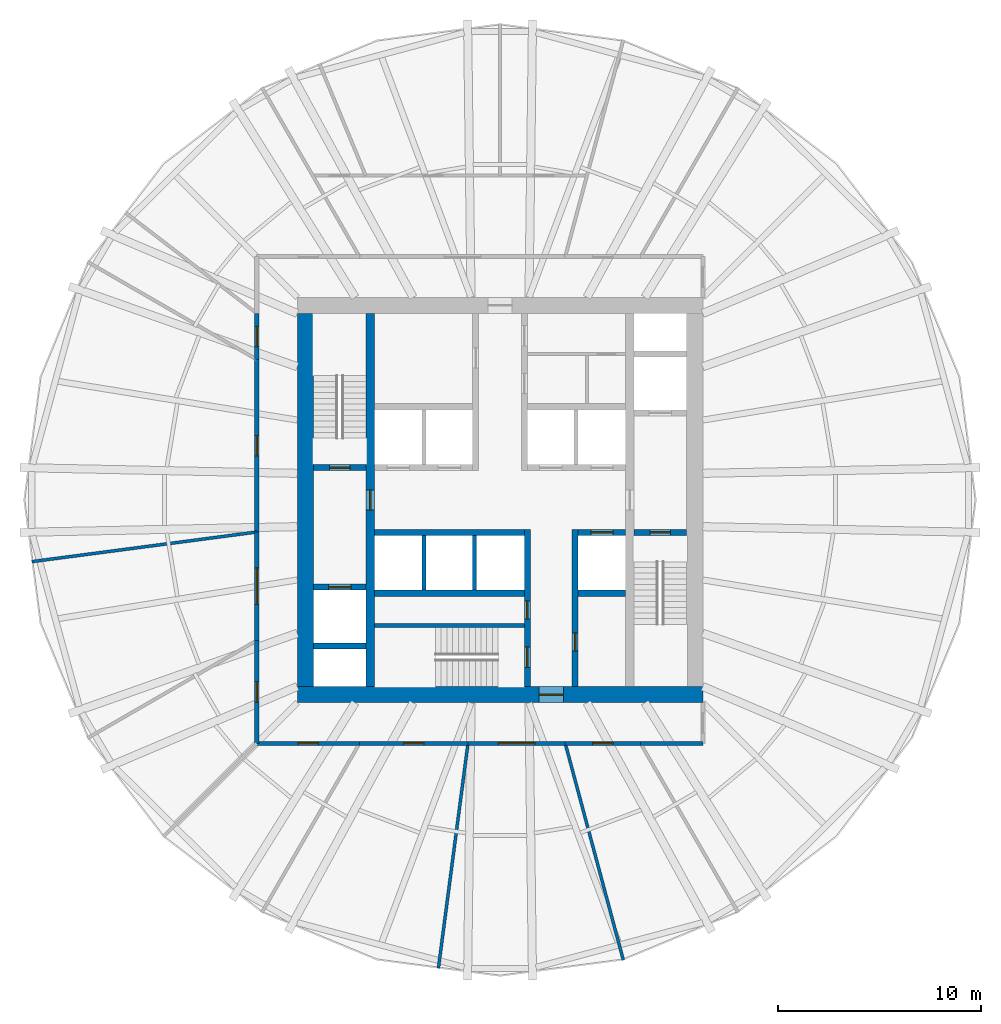
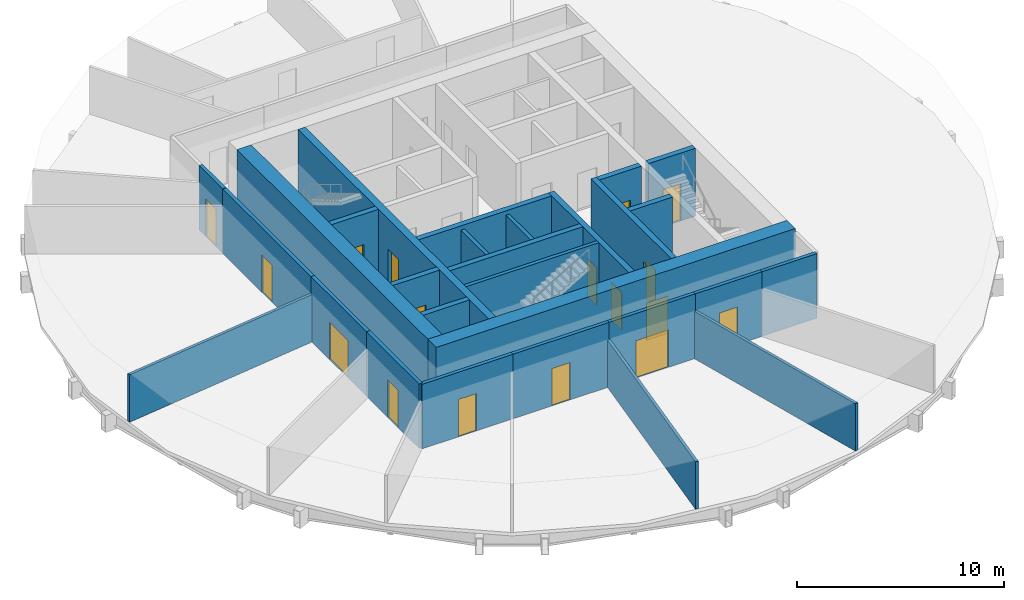
# One storey, part 3 of 6: 28 walls, 17 doors, 17 openings.
"""IFC4 building model written with IfcOpenShell, lengths in metres."""

from ifc_helpers import new_model, si_unit, direction, frame, frame_2d, origin, place, context, subcontext, project, spatial, rectangle, extrude, material, layer, layer_set, type_object, element, fill, save


model = new_model("IFC4")

# Units and contexts
model_context = context("Model", 3, precision=1e-05, world=origin(), true_north=direction((0.0, 1.0)))
body_context = subcontext(model_context, "Body", "Model", "MODEL_VIEW")
ifc_project = project(units=[si_unit("LENGTHUNIT", "METRE"), si_unit("AREAUNIT", "SQUARE_METRE"), si_unit("VOLUMEUNIT", "CUBIC_METRE"), si_unit("PLANEANGLEUNIT", "RADIAN"), si_unit("MASSUNIT", "GRAM", prefix="KILO")], contexts=[model_context])

# Site, building, storey
site_placement = place(None, origin())
site = spatial("IfcSite", under=ifc_project, at=site_placement, CompositionType="ELEMENT")
building_placement = place(site_placement, origin())
building = spatial("IfcBuilding", under=site, at=building_placement, Name="Golbaran Civic Tower", CompositionType="ELEMENT")
storey_placement = place(building_placement, frame((0.0, 0.0, 57.0)))
storey = spatial("IfcBuildingStorey", under=building, at=storey_placement, Name="L13", CompositionType="ELEMENT", Elevation=57.0)

# Wall, opening, door
ifc_material_1 = material(Name="Concrete C50/60", Category="concrete")
ifc_layer_1 = layer(ifc_material_1, 0.39990234375, Name="Concrete C50/60")
ifc_layer_set_1 = layer_set([ifc_layer_1], Name="Concrete C50/60")
wall_type_1 = type_object("IfcWallType", Name="CORE WALL CONCRETE 400", PredefinedType="SOLIDWALL", material=ifc_layer_set_1)
wall_1_placement = place(storey_placement, frame((-6.39990234375, -9.199951171875, 0.0), z_axis=(0.0, 0.0, 1.0), x_axis=(0.0, 1.0, 0.0)))
wall_1 = element("IfcWall", 1, at=wall_1_placement, inside=storey, type_object=wall_type_1, Name="Core wall IW L13", PredefinedType="SOLIDWALL", context=body_context, shape_type="SweptSolid", body=[
    extrude(rectangle(XDim=18.39990234375, YDim=0.39990234375, at=frame_2d((9.199951171875, 0.0))), origin(), (0.0, 0.0, 1.0), 4.0),
])
opening_1_placement = place(wall_1_placement, frame((8.699951171875, 0.0, 0.0)))
opening_1 = element("IfcOpeningElement", 2, at=opening_1_placement, cuts=wall_1, Name="Opening L13.FL1", PredefinedType="OPENING", context=body_context, shape_type="SweptSolid", body=[
    extrude(rectangle(XDim=1.0, YDim=2.199951171875, at=frame_2d((0.5, 1.10009765625))), frame((0.0, 0.2099609375, 0.0), z_axis=(0.0, -1.0, 0.0), x_axis=(1.0, 0.0, 0.0)), (0.0, 0.0, 1.0), 0.419921875),
])
ifc_material_2 = material(Name="Timber door set in steel frame", Category="steel")
door_type_1 = type_object("IfcDoorType", Name="STAIR DOOR 1000x2200", OperationType="SINGLE_SWING_LEFT", PredefinedType="DOOR", material=ifc_material_2)
door_1_placement = place(opening_1_placement, origin())
door_1 = element("IfcDoor", 3, at=door_1_placement, inside=storey, type_object=door_type_1, Name="Fire-fighting lobby FL1 door", OperationType="SINGLE_SWING_LEFT", OverallHeight=2.199951171875, OverallWidth=1.0, PredefinedType="DOOR", context=body_context, shape_type="SweptSolid", body=[
    extrude(rectangle(XDim=1.0, YDim=2.199951171875, at=frame_2d((0.5, 1.10009765625))), frame((0.0, 0.02490234375, 0.0), z_axis=(0.0, -1.0, 0.0), x_axis=(1.0, 0.0, 0.0)), (0.0, 0.0, 1.0), 0.050048828125),
])
fill(opening_1, door_1)

ifc_layer_2 = layer(ifc_material_1, 0.800048828125, Name="Concrete C50/60")
ifc_layer_set_2 = layer_set([ifc_layer_2], Name="Concrete C50/60")
wall_type_2 = type_object("IfcWallType", Name="CORE WALL CONCRETE 800", PredefinedType="SOLIDWALL", material=ifc_layer_set_2)
wall_2_placement = place(storey_placement, frame((10.0, -9.60009765625, 0.0), z_axis=(0.0, 0.0, 1.0), x_axis=(-1.0, 0.0, 0.0)))
wall_2 = element("IfcWall", 4, at=wall_2_placement, inside=storey, type_object=wall_type_2, Name="Core wall CS L13", PredefinedType="SOLIDWALL", context=body_context, shape_type="SweptSolid", body=[
    extrude(rectangle(XDim=20.0, YDim=0.800048828125, at=frame_2d((10.0, 0.0))), origin(), (0.0, 0.0, 1.0), 4.0),
])
opening_2_placement = place(wall_2_placement, frame((6.875, 0.0, 0.0)))
opening_2 = element("IfcOpeningElement", 5, at=opening_2_placement, cuts=wall_2, Name="Opening L13.CS", PredefinedType="OPENING", context=body_context, shape_type="SweptSolid", body=[
    extrude(rectangle(XDim=1.199951171875, YDim=2.199951171875, at=frame_2d((0.60009765625, 1.10009765625))), frame((0.0, 0.409912109375, 0.0), z_axis=(0.0, -1.0, 0.0), x_axis=(1.0, 0.0, 0.0)), (0.0, 0.0, 1.0), 0.820068359375),
])
door_type_2 = type_object("IfcDoorType", Name="CORE DOOR 1200x2200", OperationType="DOUBLE_DOOR_SINGLE_SWING", PredefinedType="DOOR", material=ifc_material_2)
door_2_placement = place(opening_2_placement, origin())
door_2 = element("IfcDoor", 6, at=door_2_placement, inside=storey, type_object=door_type_2, Name="Core door south", OperationType="DOUBLE_DOOR_SINGLE_SWING", OverallHeight=2.199951171875, OverallWidth=1.199951171875, PredefinedType="DOOR", context=body_context, shape_type="SweptSolid", body=[
    extrude(rectangle(XDim=1.199951171875, YDim=2.199951171875, at=frame_2d((0.60009765625, 1.10009765625))), frame((0.0, 0.02490234375, 0.0), z_axis=(0.0, -1.0, 0.0), x_axis=(1.0, 0.0, 0.0)), (0.0, 0.0, 1.0), 0.050048828125),
])
fill(opening_2, door_2)

# Wall
wall_3_placement = place(storey_placement, frame((-9.60009765625, 9.199951171875, 0.0), z_axis=(0.0, 0.0, 1.0), x_axis=(0.0, -1.0, 0.0)))
element("IfcWall", 7, at=wall_3_placement, inside=storey, type_object=wall_type_2, Name="Core wall CW L13", PredefinedType="SOLIDWALL", context=body_context, shape_type="SweptSolid", body=[
    extrude(rectangle(XDim=18.39990234375, YDim=0.800048828125, at=frame_2d((9.199951171875, 0.0))), origin(), (0.0, 0.0, 1.0), 4.0),
])

# Wall, opening, door
ifc_material_3 = material(Name="Gypsum board on steel studs, fire-rated", Category="steel")
ifc_layer_3 = layer(ifc_material_3, 0.199951171875, Name="Gypsum board on steel studs, fire-rated")
ifc_layer_set_3 = layer_set([ifc_layer_3], Name="Gypsum board on steel studs, fire-rated")
wall_type_3 = type_object("IfcWallType", Name="CORRIDOR WALL 200", PredefinedType="PARTITIONING", material=ifc_layer_set_3)
wall_4_placement = place(storey_placement, frame((-12.0, 9.2080078125, 0.0), z_axis=(0.0, 0.0, 1.0), x_axis=(0.0, -1.0, 0.0)))
wall_4 = element("IfcWall", 8, at=wall_4_placement, inside=storey, type_object=wall_type_3, Name="Corridor wall L13", PredefinedType="PARTITIONING", context=body_context, shape_type="SweptSolid", body=[
    extrude(rectangle(XDim=2.27978515625, YDim=0.199951171875, at=frame_2d((1.139892578125, 0.0))), origin(), (0.0, 0.0, 1.0), 3.800048828125),
])
opening_3_placement = place(wall_4_placement, frame((0.639892578125, 0.0, 0.0)))
opening_3 = element("IfcOpeningElement", 9, at=opening_3_placement, cuts=wall_4, Name="Opening L13.07", PredefinedType="OPENING", context=body_context, shape_type="SweptSolid", body=[
    extrude(rectangle(XDim=1.0, YDim=2.199951171875, at=frame_2d((0.5, 1.10009765625))), frame((0.0, 0.10986328125, 0.0), z_axis=(0.0, -1.0, 0.0), x_axis=(1.0, 0.0, 0.0)), (0.0, 0.0, 1.0), 0.219970703125),
])
door_type_3 = type_object("IfcDoorType", Name="OFFICE DOOR 1000x2200", OperationType="SINGLE_SWING_LEFT", PredefinedType="DOOR", material=ifc_material_2)
door_3_placement = place(opening_3_placement, origin())
door_3 = element("IfcDoor", 10, at=door_3_placement, inside=storey, type_object=door_type_3, Name="Print and Copy Room door L13", OperationType="SINGLE_SWING_RIGHT", OverallHeight=2.199951171875, OverallWidth=1.0, PredefinedType="DOOR", context=body_context, shape_type="SweptSolid", body=[
    extrude(rectangle(XDim=1.0, YDim=2.199951171875, at=frame_2d((0.5, 1.10009765625))), frame((0.0, 0.02490234375, 0.0), z_axis=(0.0, -1.0, 0.0), x_axis=(1.0, 0.0, 0.0)), (0.0, 0.0, 1.0), 0.050048828125),
])
fill(opening_3, door_3)

wall_5_placement = place(storey_placement, frame((-12.0, 6.92822265625, 0.0), z_axis=(0.0, 0.0, 1.0), x_axis=(0.0, -1.0, 0.0)))
wall_5 = element("IfcWall", 11, at=wall_5_placement, inside=storey, type_object=wall_type_3, Name="Corridor wall L13", PredefinedType="PARTITIONING", context=body_context, shape_type="SweptSolid", body=[
    extrude(rectangle(XDim=8.508056640625, YDim=0.199951171875, at=frame_2d((4.25390625, 0.0))), origin(), (0.0, 0.0, 1.0), 3.800048828125),
])
opening_4_placement = place(wall_5_placement, frame((3.75390625, 0.0, 0.0)))
opening_4 = element("IfcOpeningElement", 12, at=opening_4_placement, cuts=wall_5, Name="Opening L13.08", PredefinedType="OPENING", context=body_context, shape_type="SweptSolid", body=[
    extrude(rectangle(XDim=1.0, YDim=2.199951171875, at=frame_2d((0.5, 1.10009765625))), frame((0.0, 0.10986328125, 0.0), z_axis=(0.0, -1.0, 0.0), x_axis=(1.0, 0.0, 0.0)), (0.0, 0.0, 1.0), 0.219970703125),
])
door_4_placement = place(opening_4_placement, origin())
door_4 = element("IfcDoor", 13, at=door_4_placement, inside=storey, type_object=door_type_3, Name="Project Room door L13", OperationType="SINGLE_SWING_RIGHT", OverallHeight=2.199951171875, OverallWidth=1.0, PredefinedType="DOOR", context=body_context, shape_type="SweptSolid", body=[
    extrude(rectangle(XDim=1.0, YDim=2.199951171875, at=frame_2d((0.5, 1.10009765625))), frame((0.0, 0.02490234375, 0.0), z_axis=(0.0, -1.0, 0.0), x_axis=(1.0, 0.0, 0.0)), (0.0, 0.0, 1.0), 0.050048828125),
])
fill(opening_4, door_4)

wall_6_placement = place(storey_placement, frame((-12.0, -1.579833984375, 0.0), z_axis=(0.0, 0.0, 1.0), x_axis=(0.0, -1.0, 0.0)))
wall_6 = element("IfcWall", 14, at=wall_6_placement, inside=storey, type_object=wall_type_3, Name="Corridor wall L13", PredefinedType="PARTITIONING", context=body_context, shape_type="SweptSolid", body=[
    extrude(rectangle(XDim=5.348388671875, YDim=0.199951171875, at=frame_2d((2.67431640625, 0.0))), origin(), (0.0, 0.0, 1.0), 3.800048828125),
])
opening_5_placement = place(wall_6_placement, frame((1.774169921875, 0.0, 0.0)))
opening_5 = element("IfcOpeningElement", 15, at=opening_5_placement, cuts=wall_6, Name="Opening L13.09", PredefinedType="OPENING", context=body_context, shape_type="SweptSolid", body=[
    extrude(rectangle(XDim=1.800048828125, YDim=2.199951171875, at=frame_2d((0.89990234375, 1.10009765625))), frame((0.0, 0.10986328125, 0.0), z_axis=(0.0, -1.0, 0.0), x_axis=(1.0, 0.0, 0.0)), (0.0, 0.0, 1.0), 0.219970703125),
])
door_type_4 = type_object("IfcDoorType", Name="OFFICE DOUBLE DOOR 1800x2200", OperationType="DOUBLE_DOOR_SINGLE_SWING", PredefinedType="DOOR", material=ifc_material_2)
door_5_placement = place(opening_5_placement, origin())
door_5 = element("IfcDoor", 16, at=door_5_placement, inside=storey, type_object=door_type_4, Name="Open Office door L13", OperationType="DOUBLE_DOOR_SINGLE_SWING", OverallHeight=2.199951171875, OverallWidth=1.800048828125, PredefinedType="DOOR", context=body_context, shape_type="SweptSolid", body=[
    extrude(rectangle(XDim=1.800048828125, YDim=2.199951171875, at=frame_2d((0.89990234375, 1.10009765625))), frame((0.0, 0.02490234375, 0.0), z_axis=(0.0, -1.0, 0.0), x_axis=(1.0, 0.0, 0.0)), (0.0, 0.0, 1.0), 0.050048828125),
])
fill(opening_5, door_5)

wall_7_placement = place(storey_placement, frame((-12.0, -6.92822265625, 0.0), z_axis=(0.0, 0.0, 1.0), x_axis=(0.0, -1.0, 0.0)))
wall_7 = element("IfcWall", 17, at=wall_7_placement, inside=storey, type_object=wall_type_3, Name="Corridor wall L13", PredefinedType="PARTITIONING", context=body_context, shape_type="SweptSolid", body=[
    extrude(rectangle(XDim=5.07177734375, YDim=0.199951171875, at=frame_2d((2.535888671875, 0.0))), origin(), (0.0, 0.0, 1.0), 3.800048828125),
])
opening_6_placement = place(wall_7_placement, frame((2.035888671875, 0.0, 0.0)))
opening_6 = element("IfcOpeningElement", 18, at=opening_6_placement, cuts=wall_7, Name="Opening L13.10", PredefinedType="OPENING", context=body_context, shape_type="SweptSolid", body=[
    extrude(rectangle(XDim=1.0, YDim=2.199951171875, at=frame_2d((0.5, 1.10009765625))), frame((0.0, 0.10986328125, 0.0), z_axis=(0.0, -1.0, 0.0), x_axis=(1.0, 0.0, 0.0)), (0.0, 0.0, 1.0), 0.219970703125),
])
door_6_placement = place(opening_6_placement, origin())
door_6 = element("IfcDoor", 19, at=door_6_placement, inside=storey, type_object=door_type_3, Name="Print and Copy Room door L13", OperationType="SINGLE_SWING_RIGHT", OverallHeight=2.199951171875, OverallWidth=1.0, PredefinedType="DOOR", context=body_context, shape_type="SweptSolid", body=[
    extrude(rectangle(XDim=1.0, YDim=2.199951171875, at=frame_2d((0.5, 1.10009765625))), frame((0.0, 0.02490234375, 0.0), z_axis=(0.0, -1.0, 0.0), x_axis=(1.0, 0.0, 0.0)), (0.0, 0.0, 1.0), 0.050048828125),
])
fill(opening_6, door_6)

wall_8_placement = place(storey_placement, frame((-12.0, -12.0, 0.0), z_axis=(0.0, 0.0, 1.0), x_axis=(1.0, 0.0, 0.0)))
wall_8 = element("IfcWall", 20, at=wall_8_placement, inside=storey, type_object=wall_type_3, Name="Corridor wall L13", PredefinedType="PARTITIONING", context=body_context, shape_type="SweptSolid", body=[
    extrude(rectangle(XDim=5.07177734375, YDim=0.199951171875, at=frame_2d((2.535888671875, 0.0))), origin(), (0.0, 0.0, 1.0), 3.800048828125),
])
opening_7_placement = place(wall_8_placement, frame((2.035888671875, 0.0, 0.0)))
opening_7 = element("IfcOpeningElement", 21, at=opening_7_placement, cuts=wall_8, Name="Opening L13.11", PredefinedType="OPENING", context=body_context, shape_type="SweptSolid", body=[
    extrude(rectangle(XDim=1.0, YDim=2.199951171875, at=frame_2d((0.5, 1.10009765625))), frame((0.0, 0.10986328125, 0.0), z_axis=(0.0, -1.0, 0.0), x_axis=(1.0, 0.0, 0.0)), (0.0, 0.0, 1.0), 0.219970703125),
])
door_7_placement = place(opening_7_placement, origin())
door_7 = element("IfcDoor", 22, at=door_7_placement, inside=storey, type_object=door_type_3, Name="Store door L13", OperationType="SINGLE_SWING_LEFT", OverallHeight=2.199951171875, OverallWidth=1.0, PredefinedType="DOOR", context=body_context, shape_type="SweptSolid", body=[
    extrude(rectangle(XDim=1.0, YDim=2.199951171875, at=frame_2d((0.5, 1.10009765625))), frame((0.0, 0.02490234375, 0.0), z_axis=(0.0, -1.0, 0.0), x_axis=(1.0, 0.0, 0.0)), (0.0, 0.0, 1.0), 0.050048828125),
])
fill(opening_7, door_7)

wall_9_placement = place(storey_placement, frame((-6.92822265625, -12.0, 0.0), z_axis=(0.0, 0.0, 1.0), x_axis=(1.0, 0.0, 0.0)))
wall_9 = element("IfcWall", 23, at=wall_9_placement, inside=storey, type_object=wall_type_3, Name="Corridor wall L13", PredefinedType="PARTITIONING", context=body_context, shape_type="SweptSolid", body=[
    extrude(rectangle(XDim=5.348388671875, YDim=0.199951171875, at=frame_2d((2.67431640625, 0.0))), origin(), (0.0, 0.0, 1.0), 3.800048828125),
])
opening_8_placement = place(wall_9_placement, frame((2.174072265625, 0.0, 0.0)))
opening_8 = element("IfcOpeningElement", 24, at=opening_8_placement, cuts=wall_9, Name="Opening L13.12", PredefinedType="OPENING", context=body_context, shape_type="SweptSolid", body=[
    extrude(rectangle(XDim=1.0, YDim=2.199951171875, at=frame_2d((0.5, 1.10009765625))), frame((0.0, 0.10986328125, 0.0), z_axis=(0.0, -1.0, 0.0), x_axis=(1.0, 0.0, 0.0)), (0.0, 0.0, 1.0), 0.219970703125),
])
door_8_placement = place(opening_8_placement, origin())
door_8 = element("IfcDoor", 25, at=door_8_placement, inside=storey, type_object=door_type_3, Name="Interview Room door L13", OperationType="SINGLE_SWING_LEFT", OverallHeight=2.199951171875, OverallWidth=1.0, PredefinedType="DOOR", context=body_context, shape_type="SweptSolid", body=[
    extrude(rectangle(XDim=1.0, YDim=2.199951171875, at=frame_2d((0.5, 1.10009765625))), frame((0.0, 0.02490234375, 0.0), z_axis=(0.0, -1.0, 0.0), x_axis=(1.0, 0.0, 0.0)), (0.0, 0.0, 1.0), 0.050048828125),
])
fill(opening_8, door_8)

wall_10_placement = place(storey_placement, frame((-1.579833984375, -12.0, 0.0), z_axis=(0.0, 0.0, 1.0), x_axis=(1.0, 0.0, 0.0)))
wall_10 = element("IfcWall", 26, at=wall_10_placement, inside=storey, type_object=wall_type_3, Name="Corridor wall L13", PredefinedType="PARTITIONING", context=body_context, shape_type="SweptSolid", body=[
    extrude(rectangle(XDim=4.795166015625, YDim=0.199951171875, at=frame_2d((2.3974609375, 0.0))), origin(), (0.0, 0.0, 1.0), 3.800048828125),
])
opening_9_placement = place(wall_10_placement, frame((1.49755859375, 0.0, 0.0)))
opening_9 = element("IfcOpeningElement", 27, at=opening_9_placement, cuts=wall_10, Name="Opening L13.13", PredefinedType="OPENING", context=body_context, shape_type="SweptSolid", body=[
    extrude(rectangle(XDim=1.800048828125, YDim=2.199951171875, at=frame_2d((0.89990234375, 1.10009765625))), frame((0.0, 0.10986328125, 0.0), z_axis=(0.0, -1.0, 0.0), x_axis=(1.0, 0.0, 0.0)), (0.0, 0.0, 1.0), 0.219970703125),
])
door_9_placement = place(opening_9_placement, origin())
door_9 = element("IfcDoor", 28, at=door_9_placement, inside=storey, type_object=door_type_4, Name="Open Office door L13", OperationType="DOUBLE_DOOR_SINGLE_SWING", OverallHeight=2.199951171875, OverallWidth=1.800048828125, PredefinedType="DOOR", context=body_context, shape_type="SweptSolid", body=[
    extrude(rectangle(XDim=1.800048828125, YDim=2.199951171875, at=frame_2d((0.89990234375, 1.10009765625))), frame((0.0, 0.02490234375, 0.0), z_axis=(0.0, -1.0, 0.0), x_axis=(1.0, 0.0, 0.0)), (0.0, 0.0, 1.0), 0.050048828125),
])
fill(opening_9, door_9)

wall_11_placement = place(storey_placement, frame((3.21533203125, -12.0, 0.0), z_axis=(0.0, 0.0, 1.0), x_axis=(1.0, 0.0, 0.0)))
wall_11 = element("IfcWall", 29, at=wall_11_placement, inside=storey, type_object=wall_type_3, Name="Corridor wall L13", PredefinedType="PARTITIONING", context=body_context, shape_type="SweptSolid", body=[
    extrude(rectangle(XDim=3.712890625, YDim=0.199951171875, at=frame_2d((1.8564453125, 0.0))), origin(), (0.0, 0.0, 1.0), 3.800048828125),
])
opening_10_placement = place(wall_11_placement, frame((1.3564453125, 0.0, 0.0)))
opening_10 = element("IfcOpeningElement", 30, at=opening_10_placement, cuts=wall_11, Name="Opening L13.14", PredefinedType="OPENING", context=body_context, shape_type="SweptSolid", body=[
    extrude(rectangle(XDim=1.0, YDim=2.199951171875, at=frame_2d((0.5, 1.10009765625))), frame((0.0, 0.10986328125, 0.0), z_axis=(0.0, -1.0, 0.0), x_axis=(1.0, 0.0, 0.0)), (0.0, 0.0, 1.0), 0.219970703125),
])
door_10_placement = place(opening_10_placement, origin())
door_10 = element("IfcDoor", 31, at=door_10_placement, inside=storey, type_object=door_type_3, Name="Meeting Room door L13", OperationType="SINGLE_SWING_LEFT", OverallHeight=2.199951171875, OverallWidth=1.0, PredefinedType="DOOR", context=body_context, shape_type="SweptSolid", body=[
    extrude(rectangle(XDim=1.0, YDim=2.199951171875, at=frame_2d((0.5, 1.10009765625))), frame((0.0, 0.02490234375, 0.0), z_axis=(0.0, -1.0, 0.0), x_axis=(1.0, 0.0, 0.0)), (0.0, 0.0, 1.0), 0.050048828125),
])
fill(opening_10, door_10)

# Walls
wall_12_placement = place(storey_placement, frame((6.92822265625, -12.0, 0.0), z_axis=(0.0, 0.0, 1.0), x_axis=(1.0, 0.0, 0.0)))
element("IfcWall", 32, at=wall_12_placement, inside=storey, type_object=wall_type_3, Name="Corridor wall L13", PredefinedType="PARTITIONING", context=body_context, shape_type="SweptSolid", body=[
    extrude(rectangle(XDim=3.07177734375, YDim=0.199951171875, at=frame_2d((1.535888671875, 0.0))), origin(), (0.0, 0.0, 1.0), 3.800048828125),
])
ifc_material_4 = material(Name="Concrete block", Category="concrete")
ifc_layer_4 = layer(ifc_material_4, 0.199951171875, Name="Concrete block")
ifc_layer_set_4 = layer_set([ifc_layer_4], Name="Concrete block")
wall_type_4 = type_object("IfcWallType", Name="LIFT SEPARATOR WALL 200", PredefinedType="SOLIDWALL", material=ifc_layer_set_4)
for number, where, z_axis, x_axis, name in (
    (33, (-3.75, -1.75, 0.0), (0.0, 0.0, 1.0), (0.0, -1.0, 0.0), "Core partition SSW L13"),
    (34, (-1.25, -1.75, 0.0), (0.0, 0.0, 1.0), (0.0, -1.0, 0.0), "Core partition SSM L13"),
):
    element("IfcWall", number, at=place(storey_placement, frame(where, z_axis=z_axis, x_axis=x_axis)), inside=storey, type_object=wall_type_4, Name=name, PredefinedType="SOLIDWALL", context=body_context, shape_type="SweptSolid", body=[
        extrude(rectangle(XDim=2.699951171875, YDim=0.199951171875, at=frame_2d((1.35009765625, 0.0))), origin(), (0.0, 0.0, 1.0), 3.75),
    ])
ifc_material_5 = material(Name="Gypsum board on steel studs", Category="steel")
ifc_layer_5 = layer(ifc_material_5, 0.14990234375, Name="Gypsum board on steel studs")
ifc_layer_set_5 = layer_set([ifc_layer_5], Name="Gypsum board on steel studs")
wall_type_5 = type_object("IfcWallType", Name="OFFICE PARTITION 150", PredefinedType="PARTITIONING", material=ifc_layer_set_5)
for number, where, z_axis, x_axis, name in (
    (35, (-12.0, -1.579833984375, 0.0), (0.0, 0.0, 1.0), (-0.991446050429, -0.130517160134, 0.0), "Partition 187.5 L13"),
    (36, (-1.579833984375, -12.0, 0.0), (0.0, 0.0, 1.0), (-0.130517160134, -0.991446050429, 0.0), "Partition 262.5 L13"),
):
    element("IfcWall", number, at=place(storey_placement, frame(where, z_axis=z_axis, x_axis=x_axis)), inside=storey, type_object=wall_type_5, Name=name, PredefinedType="PARTITIONING", context=body_context, shape_type="SweptSolid", body=[
        extrude(rectangle(XDim=11.189697265625, YDim=0.14990234375, at=frame_2d((5.5947265625, 0.0))), origin(), (0.0, 0.0, 1.0), 2.7900390625),
    ])
wall_13_placement = place(storey_placement, frame((3.21533203125, -12.0, 0.0), z_axis=(0.0, 0.0, 1.0), x_axis=(0.258830514209, -0.965922753078, 0.0)))
element("IfcWall", 37, at=wall_13_placement, inside=storey, type_object=wall_type_5, Name="Partition 285 L13", PredefinedType="PARTITIONING", context=body_context, shape_type="SweptSolid", body=[
    extrude(rectangle(XDim=11.07080078125, YDim=0.14990234375, at=frame_2d((5.535400390625, 0.0))), origin(), (0.0, 0.0, 1.0), 2.7900390625),
])
ifc_layer_6 = layer(ifc_material_1, 0.199951171875, Name="Concrete C50/60")
ifc_layer_set_6 = layer_set([ifc_layer_6], Name="Concrete C50/60")
wall_type_6 = type_object("IfcWallType", Name="SHAFT WALL CONCRETE 200", PredefinedType="SOLIDWALL", material=ifc_layer_set_6)
wall_14_placement = place(storey_placement, frame((-6.199951171875, -6.199951171875, 0.0), z_axis=(0.0, 0.0, 1.0), x_axis=(1.0, 0.0, 0.0)))
element("IfcWall", 38, at=wall_14_placement, inside=storey, type_object=wall_type_6, Name="Core wall S3N L13", PredefinedType="SOLIDWALL", context=body_context, shape_type="SweptSolid", body=[
    extrude(rectangle(XDim=7.39990234375, YDim=0.199951171875, at=frame_2d((3.699951171875, 0.0))), origin(), (0.0, 0.0, 1.0), 4.0),
])
ifc_layer_7 = layer(ifc_material_1, 0.300048828125, Name="Concrete C50/60")
ifc_layer_set_7 = layer_set([ifc_layer_7], Name="Concrete C50/60")
wall_type_7 = type_object("IfcWallType", Name="SHAFT WALL CONCRETE 300", PredefinedType="SOLIDWALL", material=ifc_layer_set_7)
wall_15_placement = place(storey_placement, frame((-6.199951171875, -1.60009765625, 0.0), z_axis=(0.0, 0.0, 1.0), x_axis=(1.0, 0.0, 0.0)))
element("IfcWall", 39, at=wall_15_placement, inside=storey, type_object=wall_type_7, Name="Core wall FSW L13", PredefinedType="SOLIDWALL", context=body_context, shape_type="SweptSolid", body=[
    extrude(rectangle(XDim=7.39990234375, YDim=0.300048828125, at=frame_2d((3.699951171875, 0.0))), origin(), (0.0, 0.0, 1.0), 4.0),
])

# Wall, opening, door
wall_16_placement = place(storey_placement, frame((3.85009765625, -1.60009765625, 0.0), z_axis=(0.0, 0.0, 1.0), x_axis=(1.0, 0.0, 0.0)))
wall_16 = element("IfcWall", 40, at=wall_16_placement, inside=storey, type_object=wall_type_7, Name="Core wall FSE L13", PredefinedType="SOLIDWALL", context=body_context, shape_type="SweptSolid", body=[
    extrude(rectangle(XDim=2.349853515625, YDim=0.300048828125, at=frame_2d((1.1748046875, 0.0))), origin(), (0.0, 0.0, 1.0), 4.0),
])
opening_11_placement = place(wall_16_placement, frame((0.625, 0.0, 0.0)))
opening_11 = element("IfcOpeningElement", 41, at=opening_11_placement, cuts=wall_16, Name="Opening L13.LD-V1", PredefinedType="OPENING", context=body_context, shape_type="SweptSolid", body=[
    extrude(rectangle(XDim=1.10009765625, YDim=2.199951171875, at=frame_2d((0.550048828125, 1.10009765625))), frame((0.0, 0.159912109375, 0.0), z_axis=(0.0, -1.0, 0.0), x_axis=(1.0, 0.0, 0.0)), (0.0, 0.0, 1.0), 0.320068359375),
])
ifc_material_6 = material(Name="Stainless steel", Category="steel")
door_type_5 = type_object("IfcDoorType", Name="LIFT LANDING DOOR 1100x2200", OperationType="SLIDING_TO_LEFT", PredefinedType="DOOR", material=ifc_material_6)
door_11_placement = place(opening_11_placement, origin())
door_11 = element("IfcDoor", 42, at=door_11_placement, inside=storey, type_object=door_type_5, Name="Lift landing door V1", OperationType="SLIDING_TO_LEFT", OverallHeight=2.199951171875, OverallWidth=1.10009765625, PredefinedType="DOOR", context=body_context, shape_type="SweptSolid", body=[
    extrude(rectangle(XDim=1.10009765625, YDim=2.199951171875, at=frame_2d((0.550048828125, 1.10009765625))), frame((0.0, 0.02490234375, 0.0), z_axis=(0.0, -1.0, 0.0), x_axis=(1.0, 0.0, 0.0)), (0.0, 0.0, 1.0), 0.050048828125),
])
fill(opening_11, door_11)

# Walls
wall_17_placement = place(storey_placement, frame((-6.199951171875, -4.60009765625, 0.0), z_axis=(0.0, 0.0, 1.0), x_axis=(1.0, 0.0, 0.0)))
element("IfcWall", 43, at=wall_17_placement, inside=storey, type_object=wall_type_7, Name="Core wall BSW L13", PredefinedType="SOLIDWALL", context=body_context, shape_type="SweptSolid", body=[
    extrude(rectangle(XDim=7.39990234375, YDim=0.300048828125, at=frame_2d((3.699951171875, 0.0))), origin(), (0.0, 0.0, 1.0), 4.0),
])
wall_18_placement = place(storey_placement, frame((3.85009765625, -4.60009765625, 0.0), z_axis=(0.0, 0.0, 1.0), x_axis=(1.0, 0.0, 0.0)))
element("IfcWall", 44, at=wall_18_placement, inside=storey, type_object=wall_type_7, Name="Core wall BSE L13", PredefinedType="SOLIDWALL", context=body_context, shape_type="SweptSolid", body=[
    extrude(rectangle(XDim=2.349853515625, YDim=0.300048828125, at=frame_2d((1.1748046875, 0.0))), origin(), (0.0, 0.0, 1.0), 4.0),
])

# Wall, openings, doors
wall_19_placement = place(storey_placement, frame((1.35009765625, -1.449951171875, 0.0), z_axis=(0.0, 0.0, 1.0), x_axis=(0.0, -1.0, 0.0)))
wall_19 = element("IfcWall", 45, at=wall_19_placement, inside=storey, type_object=wall_type_7, Name="Core wall PSW L13", PredefinedType="SOLIDWALL", context=body_context, shape_type="SweptSolid", body=[
    extrude(rectangle(XDim=7.75, YDim=0.300048828125, at=frame_2d((3.875, 0.0))), origin(), (0.0, 0.0, 1.0), 4.0),
])
opening_12_placement = place(wall_19_placement, frame((5.800048828125, 0.0, 0.0)))
opening_12 = element("IfcOpeningElement", 46, at=opening_12_placement, cuts=wall_19, Name="Opening L13.S3", PredefinedType="OPENING", context=body_context, shape_type="SweptSolid", body=[
    extrude(rectangle(XDim=1.0, YDim=2.199951171875, at=frame_2d((0.5, 1.10009765625))), frame((0.0, 0.159912109375, 0.0), z_axis=(0.0, -1.0, 0.0), x_axis=(1.0, 0.0, 0.0)), (0.0, 0.0, 1.0), 0.320068359375),
])
opening_13_placement = place(wall_19_placement, frame((3.52490234375, 0.0, 0.0)))
opening_13 = element("IfcOpeningElement", 47, at=opening_13_placement, cuts=wall_19, Name="Opening L13.RE", PredefinedType="OPENING", context=body_context, shape_type="SweptSolid", body=[
    extrude(rectangle(XDim=0.89990234375, YDim=2.199951171875, at=frame_2d((0.449951171875, 1.10009765625))), frame((0.0, 0.159912109375, 0.0), z_axis=(0.0, -1.0, 0.0), x_axis=(1.0, 0.0, 0.0)), (0.0, 0.0, 1.0), 0.320068359375),
])
door_type_6 = type_object("IfcDoorType", Name="RISER DOOR 900x2200", OperationType="SINGLE_SWING_LEFT", PredefinedType="DOOR", material=ifc_material_2)
door_12_placement = place(opening_13_placement, origin())
door_12 = element("IfcDoor", 48, at=door_12_placement, inside=storey, type_object=door_type_6, Name="Electrical riser door", OperationType="SINGLE_SWING_RIGHT", OverallHeight=2.199951171875, OverallWidth=0.89990234375, PredefinedType="DOOR", context=body_context, shape_type="SweptSolid", body=[
    extrude(rectangle(XDim=0.89990234375, YDim=2.199951171875, at=frame_2d((0.449951171875, 1.10009765625))), frame((0.0, 0.02490234375, 0.0), z_axis=(0.0, -1.0, 0.0), x_axis=(1.0, 0.0, 0.0)), (0.0, 0.0, 1.0), 0.050048828125),
])
fill(opening_13, door_12)
door_13_placement = place(opening_12_placement, origin())
door_13 = element("IfcDoor", 49, at=door_13_placement, inside=storey, type_object=door_type_1, Name="Stair S3 door", OperationType="SINGLE_SWING_RIGHT", OverallHeight=2.199951171875, OverallWidth=1.0, PredefinedType="DOOR", context=body_context, shape_type="SweptSolid", body=[
    extrude(rectangle(XDim=1.0, YDim=2.199951171875, at=frame_2d((0.5, 1.10009765625))), frame((0.0, 0.02490234375, 0.0), z_axis=(0.0, -1.0, 0.0), x_axis=(1.0, 0.0, 0.0)), (0.0, 0.0, 1.0), 0.050048828125),
])
fill(opening_12, door_13)

# Wall, opening, door
wall_20_placement = place(storey_placement, frame((3.699951171875, -1.449951171875, 0.0), z_axis=(0.0, 0.0, 1.0), x_axis=(0.0, -1.0, 0.0)))
wall_20 = element("IfcWall", 50, at=wall_20_placement, inside=storey, type_object=wall_type_7, Name="Core wall PSE L13", PredefinedType="SOLIDWALL", context=body_context, shape_type="SweptSolid", body=[
    extrude(rectangle(XDim=7.75, YDim=0.300048828125, at=frame_2d((3.875, 0.0))), origin(), (0.0, 0.0, 1.0), 4.0),
])
opening_14_placement = place(wall_20_placement, frame((5.10009765625, 0.0, 0.0)))
opening_14 = element("IfcOpeningElement", 51, at=opening_14_placement, cuts=wall_20, Name="Opening L13.RM", PredefinedType="OPENING", context=body_context, shape_type="SweptSolid", body=[
    extrude(rectangle(XDim=0.89990234375, YDim=2.199951171875, at=frame_2d((0.449951171875, 1.10009765625))), frame((0.0, 0.159912109375, 0.0), z_axis=(0.0, -1.0, 0.0), x_axis=(1.0, 0.0, 0.0)), (0.0, 0.0, 1.0), 0.320068359375),
])
door_14_placement = place(opening_14_placement, origin())
door_14 = element("IfcDoor", 52, at=door_14_placement, inside=storey, type_object=door_type_6, Name="Mechanical riser door", OperationType="SINGLE_SWING_RIGHT", OverallHeight=2.199951171875, OverallWidth=0.89990234375, PredefinedType="DOOR", context=body_context, shape_type="SweptSolid", body=[
    extrude(rectangle(XDim=0.89990234375, YDim=2.199951171875, at=frame_2d((0.449951171875, 1.10009765625))), frame((0.0, 0.02490234375, 0.0), z_axis=(0.0, -1.0, 0.0), x_axis=(1.0, 0.0, 0.0)), (0.0, 0.0, 1.0), 0.050048828125),
])
fill(opening_14, door_14)

wall_21_placement = place(storey_placement, frame((-9.199951171875, 1.60009765625, 0.0), z_axis=(0.0, 0.0, 1.0), x_axis=(1.0, 0.0, 0.0)))
wall_21 = element("IfcWall", 53, at=wall_21_placement, inside=storey, type_object=wall_type_7, Name="Core wall XW1 L13", PredefinedType="SOLIDWALL", context=body_context, shape_type="SweptSolid", body=[
    extrude(rectangle(XDim=2.599853515625, YDim=0.300048828125, at=frame_2d((1.2998046875, 0.0))), origin(), (0.0, 0.0, 1.0), 4.0),
])
opening_15_placement = place(wall_21_placement, frame((0.800048828125, 0.0, 0.0)))
opening_15 = element("IfcOpeningElement", 54, at=opening_15_placement, cuts=wall_21, Name="Opening L13.S1", PredefinedType="OPENING", context=body_context, shape_type="SweptSolid", body=[
    extrude(rectangle(XDim=1.0, YDim=2.199951171875, at=frame_2d((0.5, 1.10009765625))), frame((0.0, 0.159912109375, 0.0), z_axis=(0.0, -1.0, 0.0), x_axis=(1.0, 0.0, 0.0)), (0.0, 0.0, 1.0), 0.320068359375),
])
door_15_placement = place(opening_15_placement, origin())
door_15 = element("IfcDoor", 55, at=door_15_placement, inside=storey, type_object=door_type_1, Name="Stair S1 door", OperationType="SINGLE_SWING_LEFT", OverallHeight=2.199951171875, OverallWidth=1.0, PredefinedType="DOOR", context=body_context, shape_type="SweptSolid", body=[
    extrude(rectangle(XDim=1.0, YDim=2.199951171875, at=frame_2d((0.5, 1.10009765625))), frame((0.0, 0.02490234375, 0.0), z_axis=(0.0, -1.0, 0.0), x_axis=(1.0, 0.0, 0.0)), (0.0, 0.0, 1.0), 0.050048828125),
])
fill(opening_15, door_15)

wall_22_placement = place(storey_placement, frame((6.60009765625, -1.60009765625, 0.0), z_axis=(0.0, 0.0, 1.0), x_axis=(1.0, 0.0, 0.0)))
wall_22 = element("IfcWall", 56, at=wall_22_placement, inside=storey, type_object=wall_type_7, Name="Core wall XE1 L13", PredefinedType="SOLIDWALL", context=body_context, shape_type="SweptSolid", body=[
    extrude(rectangle(XDim=2.599853515625, YDim=0.300048828125, at=frame_2d((1.2998046875, 0.0))), origin(), (0.0, 0.0, 1.0), 4.0),
])
opening_16_placement = place(wall_22_placement, frame((0.800048828125, 0.0, 0.0)))
opening_16 = element("IfcOpeningElement", 57, at=opening_16_placement, cuts=wall_22, Name="Opening L13.S2", PredefinedType="OPENING", context=body_context, shape_type="SweptSolid", body=[
    extrude(rectangle(XDim=1.0, YDim=2.199951171875, at=frame_2d((0.5, 1.10009765625))), frame((0.0, 0.159912109375, 0.0), z_axis=(0.0, -1.0, 0.0), x_axis=(1.0, 0.0, 0.0)), (0.0, 0.0, 1.0), 0.320068359375),
])
door_16_placement = place(opening_16_placement, origin())
door_16 = element("IfcDoor", 58, at=door_16_placement, inside=storey, type_object=door_type_1, Name="Stair S2 door", OperationType="SINGLE_SWING_LEFT", OverallHeight=2.199951171875, OverallWidth=1.0, PredefinedType="DOOR", context=body_context, shape_type="SweptSolid", body=[
    extrude(rectangle(XDim=1.0, YDim=2.199951171875, at=frame_2d((0.5, 1.10009765625))), frame((0.0, 0.02490234375, 0.0), z_axis=(0.0, -1.0, 0.0), x_axis=(1.0, 0.0, 0.0)), (0.0, 0.0, 1.0), 0.050048828125),
])
fill(opening_16, door_16)

wall_23_placement = place(storey_placement, frame((-9.199951171875, -4.300048828125, 0.0), z_axis=(0.0, 0.0, 1.0), x_axis=(1.0, 0.0, 0.0)))
wall_23 = element("IfcWall", 59, at=wall_23_placement, inside=storey, type_object=wall_type_7, Name="Core wall XW2 L13", PredefinedType="SOLIDWALL", context=body_context, shape_type="SweptSolid", body=[
    extrude(rectangle(XDim=2.599853515625, YDim=0.300048828125, at=frame_2d((1.2998046875, 0.0))), origin(), (0.0, 0.0, 1.0), 4.0),
])
opening_17_placement = place(wall_23_placement, frame((0.75, 0.0, 0.0)))
opening_17 = element("IfcOpeningElement", 60, at=opening_17_placement, cuts=wall_23, Name="Opening L13.LD-F1", PredefinedType="OPENING", context=body_context, shape_type="SweptSolid", body=[
    extrude(rectangle(XDim=1.10009765625, YDim=2.199951171875, at=frame_2d((0.550048828125, 1.10009765625))), frame((0.0, 0.159912109375, 0.0), z_axis=(0.0, -1.0, 0.0), x_axis=(1.0, 0.0, 0.0)), (0.0, 0.0, 1.0), 0.320068359375),
])
door_17_placement = place(opening_17_placement, origin())
door_17 = element("IfcDoor", 61, at=door_17_placement, inside=storey, type_object=door_type_5, Name="Lift landing door F1", OperationType="SLIDING_TO_LEFT", OverallHeight=2.199951171875, OverallWidth=1.10009765625, PredefinedType="DOOR", context=body_context, shape_type="SweptSolid", body=[
    extrude(rectangle(XDim=1.10009765625, YDim=2.199951171875, at=frame_2d((0.550048828125, 1.10009765625))), frame((0.0, 0.02490234375, 0.0), z_axis=(0.0, -1.0, 0.0), x_axis=(1.0, 0.0, 0.0)), (0.0, 0.0, 1.0), 0.050048828125),
])
fill(opening_17, door_17)

# Wall
wall_24_placement = place(storey_placement, frame((-9.199951171875, -7.199951171875, 0.0), z_axis=(0.0, 0.0, 1.0), x_axis=(1.0, 0.0, 0.0)))
element("IfcWall", 62, at=wall_24_placement, inside=storey, type_object=wall_type_7, Name="Core wall XW3 L13", PredefinedType="SOLIDWALL", context=body_context, shape_type="SweptSolid", body=[
    extrude(rectangle(XDim=2.599853515625, YDim=0.300048828125, at=frame_2d((1.2998046875, 0.0))), origin(), (0.0, 0.0, 1.0), 4.0),
])

save(model, "model.ifc")
